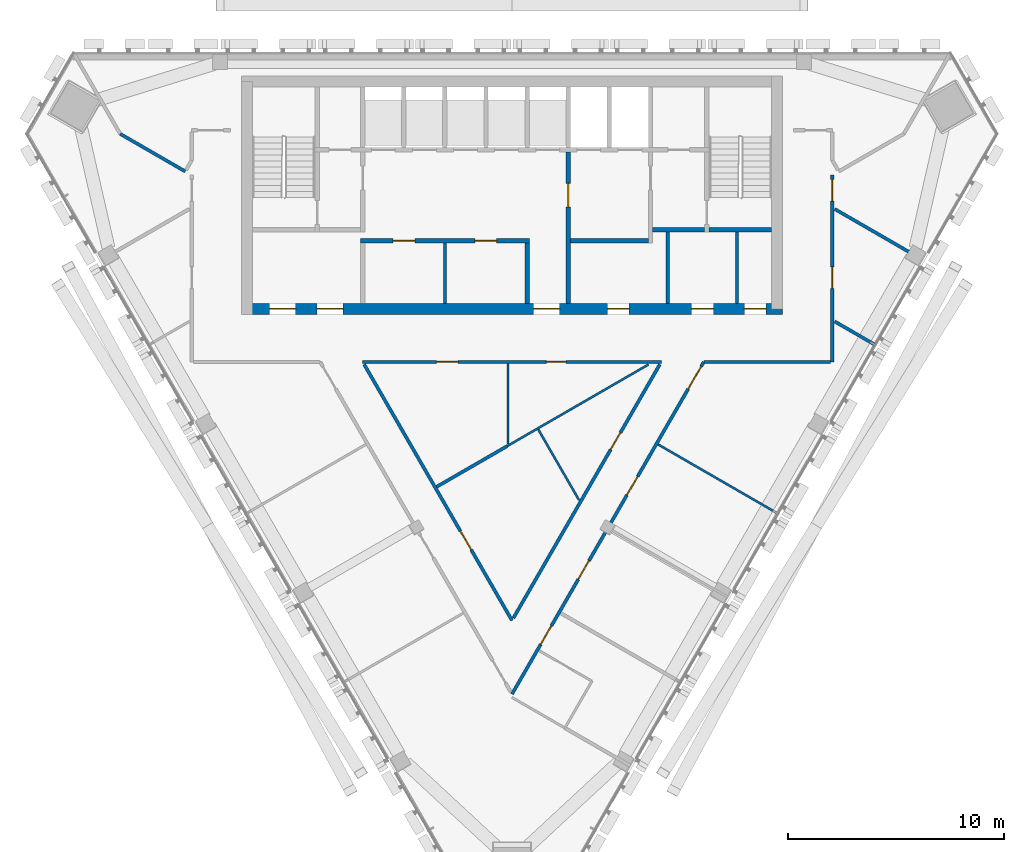
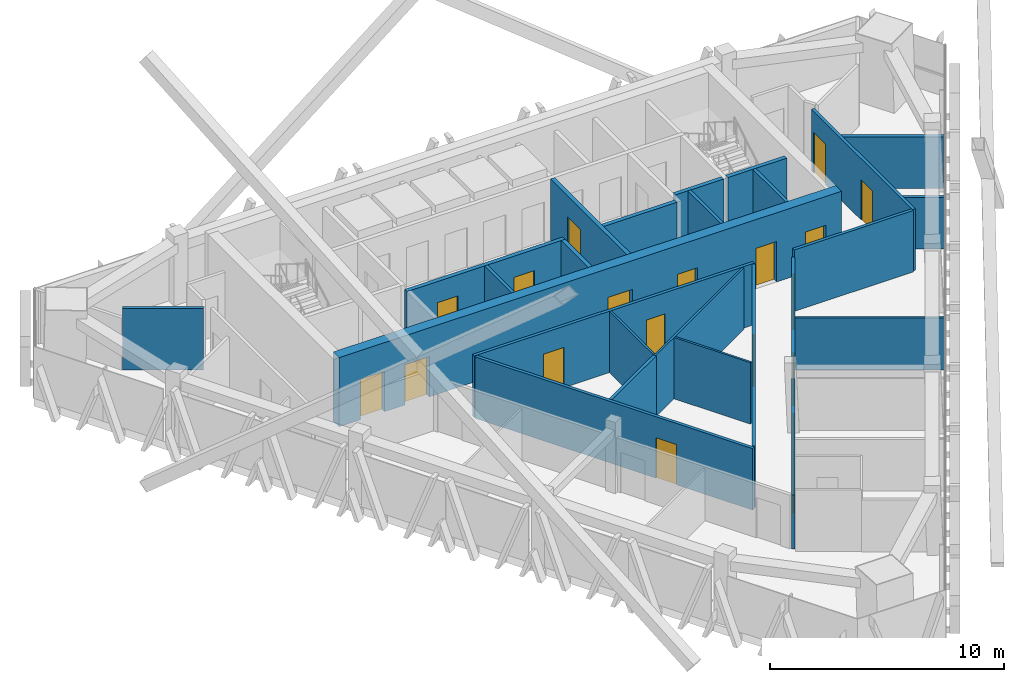
# One storey, part 8 of 12: 24 walls, 19 doors, 19 openings.
"""IFC4 building model written with IfcOpenShell, lengths in metres."""

from ifc_helpers import new_model, si_unit, direction, frame, frame_2d, origin, place, context, subcontext, project, spatial, rectangle, extrude, material, layer, layer_set, type_object, element, fill, save


model = new_model("IFC4")

# Units and contexts
model_context = context("Model", 3, precision=1e-05, world=origin(), true_north=direction((0.0, 1.0)))
body_context = subcontext(model_context, "Body", "Model", "MODEL_VIEW")
ifc_project = project(units=[si_unit("LENGTHUNIT", "METRE"), si_unit("AREAUNIT", "SQUARE_METRE"), si_unit("VOLUMEUNIT", "CUBIC_METRE"), si_unit("PLANEANGLEUNIT", "RADIAN"), si_unit("MASSUNIT", "GRAM", prefix="KILO")], contexts=[model_context])

# Site, building, storey
site_placement = place(None, origin())
site = spatial("IfcSite", under=ifc_project, at=site_placement, CompositionType="ELEMENT")
building_placement = place(site_placement, origin())
building = spatial("IfcBuilding", under=site, at=building_placement, Name="Altiplano Prism Tower", CompositionType="ELEMENT")
storey_placement = place(building_placement, frame((0.0, 0.0, 291.39990234375)))
storey = spatial("IfcBuildingStorey", under=building, at=storey_placement, Name="L75", CompositionType="ELEMENT", Elevation=291.39990234375)

# Wall, openings, doors
ifc_material_1 = material(Name="Concrete C60/75", Category="concrete")
ifc_layer_1 = layer(ifc_material_1, 0.5)
ifc_layer_set_1 = layer_set([ifc_layer_1], Name="Concrete C60/75")
wall_type_1 = type_object("IfcWallType", Name="Core wall 500", PredefinedType="SHEAR", material=ifc_layer_set_1)
wall_1_placement = place(storey_placement, frame((72.75, 93.14990234375, 0.0), z_axis=(0.0, 0.0, 1.0), x_axis=(1.0, 0.0, 0.0)))
wall_1 = element("IfcWall", 1, at=wall_1_placement, inside=storey, type_object=wall_type_1, Name="Core wall S L75", PredefinedType="SHEAR", context=body_context, shape_type="SweptSolid", body=[
    extrude(rectangle(XDim=24.75, YDim=0.5, at=frame_2d((12.375, 0.0))), origin(), (0.0, 0.0, 1.0), 3.60009765625),
])
opening_1_placement = place(wall_1_placement, frame((1.050048828125, 0.0, 0.0)))
opening_1 = element("IfcOpeningElement", 2, at=opening_1_placement, cuts=wall_1, Name="Opening D3638", PredefinedType="OPENING", context=body_context, shape_type="SweptSolid", body=[
    extrude(rectangle(XDim=1.199951171875, YDim=2.10009765625, at=frame_2d((0.60009765625, 1.050048828125))), frame((0.0, 0.260498046875, 0.0), z_axis=(0.0, -1.0, 0.0), x_axis=(1.0, 0.0, 0.0)), (0.0, 0.0, 1.0), 0.52099609375),
])
opening_2_placement = place(wall_1_placement, frame((3.25, 0.0, 0.0)))
opening_2 = element("IfcOpeningElement", 3, at=opening_2_placement, cuts=wall_1, Name="Opening D3639", PredefinedType="OPENING", context=body_context, shape_type="SweptSolid", body=[
    extrude(rectangle(XDim=1.199951171875, YDim=2.10009765625, at=frame_2d((0.60009765625, 1.050048828125))), frame((0.0, 0.260498046875, 0.0), z_axis=(0.0, -1.0, 0.0), x_axis=(1.0, 0.0, 0.0)), (0.0, 0.0, 1.0), 0.52099609375),
])
opening_3_placement = place(wall_1_placement, frame((13.25, 0.0, 0.0)))
opening_3 = element("IfcOpeningElement", 4, at=opening_3_placement, cuts=wall_1, Name="Opening D3640", PredefinedType="OPENING", context=body_context, shape_type="SweptSolid", body=[
    extrude(rectangle(XDim=1.199951171875, YDim=2.10009765625, at=frame_2d((0.60009765625, 1.050048828125))), frame((0.0, 0.260498046875, 0.0), z_axis=(0.0, -1.0, 0.0), x_axis=(1.0, 0.0, 0.0)), (0.0, 0.0, 1.0), 0.52099609375),
])
opening_4_placement = place(wall_1_placement, frame((16.66259765625, 0.0, 0.0)))
opening_4 = element("IfcOpeningElement", 5, at=opening_4_placement, cuts=wall_1, Name="Opening D3643", PredefinedType="OPENING", context=body_context, shape_type="SweptSolid", body=[
    extrude(rectangle(XDim=1.0, YDim=2.10009765625, at=frame_2d((0.5, 1.050048828125))), frame((0.0, 0.260498046875, 0.0), z_axis=(0.0, -1.0, 0.0), x_axis=(1.0, 0.0, 0.0)), (0.0, 0.0, 1.0), 0.52099609375),
])
opening_5_placement = place(wall_1_placement, frame((20.550048828125, 0.0, 0.0)))
opening_5 = element("IfcOpeningElement", 6, at=opening_5_placement, cuts=wall_1, Name="Opening D3644", PredefinedType="OPENING", context=body_context, shape_type="SweptSolid", body=[
    extrude(rectangle(XDim=1.0, YDim=2.10009765625, at=frame_2d((0.5, 1.050048828125))), frame((0.0, 0.260498046875, 0.0), z_axis=(0.0, -1.0, 0.0), x_axis=(1.0, 0.0, 0.0)), (0.0, 0.0, 1.0), 0.52099609375),
])
opening_6_placement = place(wall_1_placement, frame((22.987548828125, 0.0, 0.0)))
opening_6 = element("IfcOpeningElement", 7, at=opening_6_placement, cuts=wall_1, Name="Opening D3645", PredefinedType="OPENING", context=body_context, shape_type="SweptSolid", body=[
    extrude(rectangle(XDim=1.0, YDim=2.10009765625, at=frame_2d((0.5, 1.050048828125))), frame((0.0, 0.260498046875, 0.0), z_axis=(0.0, -1.0, 0.0), x_axis=(1.0, 0.0, 0.0)), (0.0, 0.0, 1.0), 0.52099609375),
])
ifc_material_2 = material(Name="Fire-rated steel door", Category="steel")
door_type_1 = type_object("IfcDoorType", Name="Core room door 1000 x 2100", OperationType="NOTDEFINED", PredefinedType="NOTDEFINED", material=ifc_material_2)
door_1_placement = place(opening_4_placement, origin())
door_1 = element("IfcDoor", 8, at=door_1_placement, inside=storey, type_object=door_type_1, Name="Core room door D3643", OperationType="SINGLE_SWING_RIGHT", OverallHeight=2.10009765625, OverallWidth=1.0, PredefinedType="NOTDEFINED", context=body_context, shape_type="SweptSolid", body=[
    extrude(rectangle(XDim=1.0, YDim=2.10009765625, at=frame_2d((0.5, 1.050048828125))), frame((0.0, 0.02490234375, 0.0), z_axis=(0.0, -1.0, 0.0), x_axis=(1.0, 0.0, 0.0)), (0.0, 0.0, 1.0), 0.050048828125),
])
fill(opening_4, door_1)
door_2_placement = place(opening_5_placement, origin())
door_2 = element("IfcDoor", 9, at=door_2_placement, inside=storey, type_object=door_type_1, Name="Core room door D3644", OperationType="SINGLE_SWING_LEFT", OverallHeight=2.10009765625, OverallWidth=1.0, PredefinedType="NOTDEFINED", context=body_context, shape_type="SweptSolid", body=[
    extrude(rectangle(XDim=1.0, YDim=2.10009765625, at=frame_2d((0.5, 1.050048828125))), frame((0.0, 0.02490234375, 0.0), z_axis=(0.0, -1.0, 0.0), x_axis=(1.0, 0.0, 0.0)), (0.0, 0.0, 1.0), 0.050048828125),
])
fill(opening_5, door_2)
door_3_placement = place(opening_6_placement, origin())
door_3 = element("IfcDoor", 10, at=door_3_placement, inside=storey, type_object=door_type_1, Name="Core room door D3645", OperationType="SINGLE_SWING_RIGHT", OverallHeight=2.10009765625, OverallWidth=1.0, PredefinedType="NOTDEFINED", context=body_context, shape_type="SweptSolid", body=[
    extrude(rectangle(XDim=1.0, YDim=2.10009765625, at=frame_2d((0.5, 1.050048828125))), frame((0.0, 0.02490234375, 0.0), z_axis=(0.0, -1.0, 0.0), x_axis=(1.0, 0.0, 0.0)), (0.0, 0.0, 1.0), 0.050048828125),
])
fill(opening_6, door_3)
door_type_2 = type_object("IfcDoorType", Name="Lobby fire door 1200 x 2100", OperationType="NOTDEFINED", PredefinedType="NOTDEFINED", material=ifc_material_2)
door_4_placement = place(opening_1_placement, origin())
door_4 = element("IfcDoor", 11, at=door_4_placement, inside=storey, type_object=door_type_2, Name="Lobby fire door D3638", OperationType="SINGLE_SWING_RIGHT", OverallHeight=2.10009765625, OverallWidth=1.199951171875, PredefinedType="NOTDEFINED", context=body_context, shape_type="SweptSolid", body=[
    extrude(rectangle(XDim=1.199951171875, YDim=2.10009765625, at=frame_2d((0.60009765625, 1.050048828125))), frame((0.0, 0.02490234375, 0.0), z_axis=(0.0, -1.0, 0.0), x_axis=(1.0, 0.0, 0.0)), (0.0, 0.0, 1.0), 0.050048828125),
])
fill(opening_1, door_4)
door_5_placement = place(opening_2_placement, origin())
door_5 = element("IfcDoor", 12, at=door_5_placement, inside=storey, type_object=door_type_2, Name="Lobby fire door D3639", OperationType="SINGLE_SWING_LEFT", OverallHeight=2.10009765625, OverallWidth=1.199951171875, PredefinedType="NOTDEFINED", context=body_context, shape_type="SweptSolid", body=[
    extrude(rectangle(XDim=1.199951171875, YDim=2.10009765625, at=frame_2d((0.60009765625, 1.050048828125))), frame((0.0, 0.02490234375, 0.0), z_axis=(0.0, -1.0, 0.0), x_axis=(1.0, 0.0, 0.0)), (0.0, 0.0, 1.0), 0.050048828125),
])
fill(opening_2, door_5)
door_6_placement = place(opening_3_placement, origin())
door_6 = element("IfcDoor", 13, at=door_6_placement, inside=storey, type_object=door_type_2, Name="Lobby fire door D3640", OperationType="SINGLE_SWING_RIGHT", OverallHeight=2.10009765625, OverallWidth=1.199951171875, PredefinedType="NOTDEFINED", context=body_context, shape_type="SweptSolid", body=[
    extrude(rectangle(XDim=1.199951171875, YDim=2.10009765625, at=frame_2d((0.60009765625, 1.050048828125))), frame((0.0, 0.02490234375, 0.0), z_axis=(0.0, -1.0, 0.0), x_axis=(1.0, 0.0, 0.0)), (0.0, 0.0, 1.0), 0.050048828125),
])
fill(opening_3, door_6)

# Walls
ifc_material_3 = material(Name="Plasterboard on steel stud", Category="steel")
ifc_layer_2 = layer(ifc_material_3, 0.10009765625)
ifc_layer_set_2 = layer_set([ifc_layer_2], Name="Plasterboard on steel stud")
wall_type_2 = type_object("IfcWallType", Name="Partition 100 wet", PredefinedType="PARTITIONING", material=ifc_layer_set_2)
wall_2_placement = place(storey_placement, frame((84.79052734375, 86.81787109375, 0.0), z_axis=(0.0, 0.0, 1.0), x_axis=(0.866016489654, 0.500015439409, 0.0)))
element("IfcWall", 14, at=wall_2_placement, inside=storey, type_object=wall_type_2, Name="Partition P03 L75 016", PredefinedType="PARTITIONING", context=body_context, shape_type="SweptSolid", body=[
    extrude(rectangle(XDim=7.525634765625, YDim=0.10009765625, at=frame_2d((3.7626953125, 0.0))), origin(), (0.0, 0.0, 1.0), 3.2001953125),
])
wall_3_placement = place(storey_placement, frame((84.807861328125, 90.6240234375, 0.0), z_axis=(0.0, 0.0, 1.0), x_axis=(0.0, -1.0, 0.0)))
element("IfcWall", 15, at=wall_3_placement, inside=storey, type_object=wall_type_2, Name="Partition P03 L75 017", PredefinedType="PARTITIONING", context=body_context, shape_type="SweptSolid", body=[
    extrude(rectangle(XDim=3.70947265625, YDim=0.10009765625, at=frame_2d((1.854736328125, 0.0))), origin(), (0.0, 0.0, 1.0), 3.2001953125),
])
wall_4_placement = place(storey_placement, frame((86.212646484375, 87.581298828125, 0.0), z_axis=(0.0, 0.0, 1.0), x_axis=(0.500019639741, -0.866014064478, 0.0)))
element("IfcWall", 16, at=wall_4_placement, inside=storey, type_object=wall_type_2, Name="Partition P03 L75 018", PredefinedType="PARTITIONING", context=body_context, shape_type="SweptSolid", body=[
    extrude(rectangle(XDim=3.768798828125, YDim=0.10009765625, at=frame_2d((1.88427734375, 0.0))), origin(), (0.0, 0.0, 1.0), 3.2001953125),
])
wall_5_placement = place(storey_placement, frame((97.24267578125, 83.71533203125, 0.0), z_axis=(0.0, 0.0, 1.0), x_axis=(-0.866025401434, 0.500000004071, 0.0)))
element("IfcWall", 17, at=wall_5_placement, inside=storey, type_object=wall_type_2, Name="Partition P03 L75 032", PredefinedType="PARTITIONING", context=body_context, shape_type="SweptSolid", body=[
    extrude(rectangle(XDim=6.34521484375, YDim=0.10009765625, at=frame_2d((3.172607421875, 0.0))), origin(), (0.0, 0.0, 1.0), 2.7001953125),
])

# Wall, openings, doors
ifc_layer_3 = layer(ifc_material_3, 0.14990234375)
ifc_layer_set_3 = layer_set([ifc_layer_3], Name="Plasterboard on steel stud")
wall_type_3 = type_object("IfcWallType", Name="Partition 150 corridor", PredefinedType="PARTITIONING", material=ifc_layer_set_3)
wall_6_placement = place(storey_placement, frame((78.10302734375, 90.698974609375, 0.0), z_axis=(0.0, 0.0, 1.0), x_axis=(1.0, 0.0, 0.0)))
wall_6 = element("IfcWall", 18, at=wall_6_placement, inside=storey, type_object=wall_type_3, Name="Partition P06 L75 001", PredefinedType="PARTITIONING", context=body_context, shape_type="SweptSolid", body=[
    extrude(rectangle(XDim=13.794189453125, YDim=0.14990234375, at=frame_2d((6.89697265625, 0.0))), origin(), (0.0, 0.0, 1.0), 3.2001953125),
])
opening_7_placement = place(wall_6_placement, frame((8.489990234375, 0.0, 0.0)))
opening_7 = element("IfcOpeningElement", 19, at=opening_7_placement, cuts=wall_6, Name="Opening D2306", PredefinedType="OPENING", context=body_context, shape_type="SweptSolid", body=[
    extrude(rectangle(XDim=0.89990234375, YDim=2.10009765625, at=frame_2d((0.449951171875, 1.050048828125))), frame((0.0, 0.08544921875, 0.0), z_axis=(0.0, -1.0, 0.0), x_axis=(1.0, 0.0, 0.0)), (0.0, 0.0, 1.0), 0.1708984375),
])
opening_8_placement = place(wall_6_placement, frame((3.410888671875, 0.0, 0.0)))
opening_8 = element("IfcOpeningElement", 20, at=opening_8_placement, cuts=wall_6, Name="Opening D2308", PredefinedType="OPENING", context=body_context, shape_type="SweptSolid", body=[
    extrude(rectangle(XDim=1.0, YDim=2.10009765625, at=frame_2d((0.5, 1.050048828125))), frame((0.0, 0.08544921875, 0.0), z_axis=(0.0, -1.0, 0.0), x_axis=(1.0, 0.0, 0.0)), (0.0, 0.0, 1.0), 0.1708984375),
])
ifc_material_4 = material(Name="Timber", Category="wood")
door_type_3 = type_object("IfcDoorType", Name="Store door 1000 x 2100", OperationType="NOTDEFINED", PredefinedType="NOTDEFINED", material=ifc_material_4)
door_7_placement = place(opening_8_placement, origin())
door_7 = element("IfcDoor", 21, at=door_7_placement, inside=storey, type_object=door_type_3, Name="Door D2308", OperationType="SINGLE_SWING_RIGHT", OverallHeight=2.10009765625, OverallWidth=1.0, PredefinedType="NOTDEFINED", context=body_context, shape_type="SweptSolid", body=[
    extrude(rectangle(XDim=1.0, YDim=2.10009765625, at=frame_2d((0.5, 1.050048828125))), frame((0.0, 0.02490234375, 0.0), z_axis=(0.0, -1.0, 0.0), x_axis=(1.0, 0.0, 0.0)), (0.0, 0.0, 1.0), 0.050048828125),
])
fill(opening_8, door_7)
door_type_4 = type_object("IfcDoorType", Name="Toilet door 900 x 2100", OperationType="NOTDEFINED", PredefinedType="NOTDEFINED", material=ifc_material_4)
door_8_placement = place(opening_7_placement, origin())
door_8 = element("IfcDoor", 22, at=door_8_placement, inside=storey, type_object=door_type_4, Name="Door D2306", OperationType="SINGLE_SWING_RIGHT", OverallHeight=2.10009765625, OverallWidth=0.89990234375, PredefinedType="NOTDEFINED", context=body_context, shape_type="SweptSolid", body=[
    extrude(rectangle(XDim=0.89990234375, YDim=2.10009765625, at=frame_2d((0.449951171875, 1.050048828125))), frame((0.0, 0.02490234375, 0.0), z_axis=(0.0, -1.0, 0.0), x_axis=(1.0, 0.0, 0.0)), (0.0, 0.0, 1.0), 0.050048828125),
])
fill(opening_7, door_8)

# Wall, opening, door
wall_7_placement = place(storey_placement, frame((91.83203125, 90.58642578125, 0.0), z_axis=(0.0, 0.0, 1.0), x_axis=(-0.499999877243, -0.866025474658, 0.0)))
wall_7 = element("IfcWall", 23, at=wall_7_placement, inside=storey, type_object=wall_type_3, Name="Partition P06 L75 002", PredefinedType="PARTITIONING", context=body_context, shape_type="SweptSolid", body=[
    extrude(rectangle(XDim=13.5341796875, YDim=0.14990234375, at=frame_2d((6.76708984375, 0.0))), origin(), (0.0, 0.0, 1.0), 3.2001953125),
])
opening_9_placement = place(wall_7_placement, frame((3.64599609375, 0.0, 0.0)))
opening_9 = element("IfcOpeningElement", 24, at=opening_9_placement, cuts=wall_7, Name="Opening D2307", PredefinedType="OPENING", context=body_context, shape_type="SweptSolid", body=[
    extrude(rectangle(XDim=0.89990234375, YDim=2.10009765625, at=frame_2d((0.449951171875, 1.050048828125))), frame((0.0, 0.08544921875, 0.0), z_axis=(0.0, -1.0, 0.0), x_axis=(1.0, 0.0, 0.0)), (0.0, 0.0, 1.0), 0.1708984375),
])
door_9_placement = place(opening_9_placement, origin())
door_9 = element("IfcDoor", 25, at=door_9_placement, inside=storey, type_object=door_type_4, Name="Door D2307", OperationType="SINGLE_SWING_LEFT", OverallHeight=2.10009765625, OverallWidth=0.89990234375, PredefinedType="NOTDEFINED", context=body_context, shape_type="SweptSolid", body=[
    extrude(rectangle(XDim=0.89990234375, YDim=2.10009765625, at=frame_2d((0.449951171875, 1.050048828125))), frame((0.0, 0.02490234375, 0.0), z_axis=(0.0, -1.0, 0.0), x_axis=(1.0, 0.0, 0.0)), (0.0, 0.0, 1.0), 0.050048828125),
])
fill(opening_9, door_9)

wall_8_placement = place(storey_placement, frame((85.0, 78.7529296875, 0.0), z_axis=(0.0, 0.0, 1.0), x_axis=(-0.499997754784, 0.866026700057, 0.0)))
wall_8 = element("IfcWall", 26, at=wall_8_placement, inside=storey, type_object=wall_type_3, Name="Partition P06 L75 003", PredefinedType="PARTITIONING", context=body_context, shape_type="SweptSolid", body=[
    extrude(rectangle(XDim=13.6640625, YDim=0.14990234375, at=frame_2d((6.83203125, 0.0))), origin(), (0.0, 0.0, 1.0), 3.2001953125),
])
opening_10_placement = place(wall_8_placement, frame((3.758056640625, 0.0, 0.0)))
opening_10 = element("IfcOpeningElement", 27, at=opening_10_placement, cuts=wall_8, Name="Opening D2309", PredefinedType="OPENING", context=body_context, shape_type="SweptSolid", body=[
    extrude(rectangle(XDim=1.0, YDim=2.10009765625, at=frame_2d((0.5, 1.050048828125))), frame((0.0, 0.08544921875, 0.0), z_axis=(0.0, -1.0, 0.0), x_axis=(1.0, 0.0, 0.0)), (0.0, 0.0, 1.0), 0.1708984375),
])
door_type_5 = type_object("IfcDoorType", Name="Room door 1000 x 2100", OperationType="NOTDEFINED", PredefinedType="NOTDEFINED", material=ifc_material_4)
door_10_placement = place(opening_10_placement, origin())
door_10 = element("IfcDoor", 28, at=door_10_placement, inside=storey, type_object=door_type_5, Name="Door D2309", OperationType="SINGLE_SWING_RIGHT", OverallHeight=2.10009765625, OverallWidth=1.0, PredefinedType="NOTDEFINED", context=body_context, shape_type="SweptSolid", body=[
    extrude(rectangle(XDim=1.0, YDim=2.10009765625, at=frame_2d((0.5, 1.050048828125))), frame((0.0, 0.02490234375, 0.0), z_axis=(0.0, -1.0, 0.0), x_axis=(1.0, 0.0, 0.0)), (0.0, 0.0, 1.0), 0.050048828125),
])
fill(opening_10, door_10)

# Wall, openings, doors
wall_9_placement = place(storey_placement, frame((85.0, 75.350830078125, 0.0), z_axis=(0.0, 0.0, 1.0), x_axis=(0.499999881977, 0.866025471925, 0.0)))
wall_9 = element("IfcWall", 29, at=wall_9_placement, inside=storey, type_object=wall_type_3, Name="Partition P06 L75 007", PredefinedType="PARTITIONING", context=body_context, shape_type="SweptSolid", body=[
    extrude(rectangle(XDim=17.7236328125, YDim=0.14990234375, at=frame_2d((8.86181640625, 0.0))), origin(), (0.0, 0.0, 1.0), 2.800048828125),
])
opening_11_placement = place(wall_9_placement, frame((2.64501953125, 0.0, 0.0)))
opening_11 = element("IfcOpeningElement", 30, at=opening_11_placement, cuts=wall_9, Name="Opening D2315", PredefinedType="OPENING", context=body_context, shape_type="SweptSolid", body=[
    extrude(rectangle(XDim=1.0, YDim=2.10009765625, at=frame_2d((0.5, 1.050048828125))), frame((0.0, 0.08544921875, 0.0), z_axis=(0.0, -1.0, 0.0), x_axis=(1.0, 0.0, 0.0)), (0.0, 0.0, 1.0), 0.1708984375),
])
opening_12_placement = place(wall_9_placement, frame((6.114990234375, 0.0, 0.0)))
opening_12 = element("IfcOpeningElement", 31, at=opening_12_placement, cuts=wall_9, Name="Opening D2317", PredefinedType="OPENING", context=body_context, shape_type="SweptSolid", body=[
    extrude(rectangle(XDim=1.0, YDim=2.10009765625, at=frame_2d((0.5, 1.050048828125))), frame((0.0, 0.08544921875, 0.0), z_axis=(0.0, -1.0, 0.0), x_axis=(1.0, 0.0, 0.0)), (0.0, 0.0, 1.0), 0.1708984375),
])
opening_13_placement = place(wall_9_placement, frame((10.614990234375, 0.0, 0.0)))
opening_13 = element("IfcOpeningElement", 32, at=opening_13_placement, cuts=wall_9, Name="Opening D2318", PredefinedType="OPENING", context=body_context, shape_type="SweptSolid", body=[
    extrude(rectangle(XDim=1.0, YDim=2.10009765625, at=frame_2d((0.5, 1.050048828125))), frame((0.0, 0.08544921875, 0.0), z_axis=(0.0, -1.0, 0.0), x_axis=(1.0, 0.0, 0.0)), (0.0, 0.0, 1.0), 0.1708984375),
])
opening_14_placement = place(wall_9_placement, frame((16.281982421875, 0.0, 0.0)))
opening_14 = element("IfcOpeningElement", 33, at=opening_14_placement, cuts=wall_9, Name="Opening D2319", PredefinedType="OPENING", context=body_context, shape_type="SweptSolid", body=[
    extrude(rectangle(XDim=1.199951171875, YDim=2.10009765625, at=frame_2d((0.60009765625, 1.050048828125))), frame((0.0, 0.08544921875, 0.0), z_axis=(0.0, -1.0, 0.0), x_axis=(1.0, 0.0, 0.0)), (0.0, 0.0, 1.0), 0.1708984375),
])
door_type_6 = type_object("IfcDoorType", Name="Bedroom entrance door 1000 x 2100", OperationType="NOTDEFINED", PredefinedType="NOTDEFINED", material=ifc_material_4)
door_11_placement = place(opening_11_placement, origin())
door_11 = element("IfcDoor", 34, at=door_11_placement, inside=storey, type_object=door_type_6, Name="Door D2315", OperationType="SINGLE_SWING_LEFT", OverallHeight=2.10009765625, OverallWidth=1.0, PredefinedType="NOTDEFINED", context=body_context, shape_type="SweptSolid", body=[
    extrude(rectangle(XDim=1.0, YDim=2.10009765625, at=frame_2d((0.5, 1.050048828125))), frame((0.0, 0.02490234375, 0.0), z_axis=(0.0, -1.0, 0.0), x_axis=(1.0, 0.0, 0.0)), (0.0, 0.0, 1.0), 0.050048828125),
])
fill(opening_11, door_11)
door_12_placement = place(opening_12_placement, origin())
door_12 = element("IfcDoor", 35, at=door_12_placement, inside=storey, type_object=door_type_5, Name="Door D2317", OperationType="SINGLE_SWING_RIGHT", OverallHeight=2.10009765625, OverallWidth=1.0, PredefinedType="NOTDEFINED", context=body_context, shape_type="SweptSolid", body=[
    extrude(rectangle(XDim=1.0, YDim=2.10009765625, at=frame_2d((0.5, 1.050048828125))), frame((0.0, 0.02490234375, 0.0), z_axis=(0.0, -1.0, 0.0), x_axis=(1.0, 0.0, 0.0)), (0.0, 0.0, 1.0), 0.050048828125),
])
fill(opening_12, door_12)
door_13_placement = place(opening_13_placement, origin())
door_13 = element("IfcDoor", 36, at=door_13_placement, inside=storey, type_object=door_type_5, Name="Door D2318", OperationType="SINGLE_SWING_RIGHT", OverallHeight=2.10009765625, OverallWidth=1.0, PredefinedType="NOTDEFINED", context=body_context, shape_type="SweptSolid", body=[
    extrude(rectangle(XDim=1.0, YDim=2.10009765625, at=frame_2d((0.5, 1.050048828125))), frame((0.0, 0.02490234375, 0.0), z_axis=(0.0, -1.0, 0.0), x_axis=(1.0, 0.0, 0.0)), (0.0, 0.0, 1.0), 0.050048828125),
])
fill(opening_13, door_13)
door_type_7 = type_object("IfcDoorType", Name="Shared room door 1200 x 2100", OperationType="NOTDEFINED", PredefinedType="NOTDEFINED", material=ifc_material_4)
door_14_placement = place(opening_14_placement, origin())
door_14 = element("IfcDoor", 37, at=door_14_placement, inside=storey, type_object=door_type_7, Name="Door D2319", OperationType="SINGLE_SWING_LEFT", OverallHeight=2.10009765625, OverallWidth=1.199951171875, PredefinedType="NOTDEFINED", context=body_context, shape_type="SweptSolid", body=[
    extrude(rectangle(XDim=1.199951171875, YDim=2.10009765625, at=frame_2d((0.60009765625, 1.050048828125))), frame((0.0, 0.02490234375, 0.0), z_axis=(0.0, -1.0, 0.0), x_axis=(1.0, 0.0, 0.0)), (0.0, 0.0, 1.0), 0.050048828125),
])
fill(opening_14, door_14)

# Wall
wall_10_placement = place(storey_placement, frame((93.86181640625, 90.699951171875, 0.0), z_axis=(0.0, 0.0, 1.0), x_axis=(1.0, 0.0, 0.0)))
element("IfcWall", 38, at=wall_10_placement, inside=storey, type_object=wall_type_3, Name="Partition P06 L75 008", PredefinedType="PARTITIONING", context=body_context, shape_type="SweptSolid", body=[
    extrude(rectangle(XDim=5.86328125, YDim=0.14990234375, at=frame_2d((2.931640625, 0.0))), origin(), (0.0, 0.0, 1.0), 3.2001953125),
])

# Wall, openings, doors
wall_11_placement = place(storey_placement, frame((99.800048828125, 90.699951171875, 0.0), z_axis=(0.0, 0.0, 1.0), x_axis=(0.0, 1.0, 0.0)))
wall_11 = element("IfcWall", 39, at=wall_11_placement, inside=storey, type_object=wall_type_3, Name="Partition P06 L75 009", PredefinedType="PARTITIONING", context=body_context, shape_type="SweptSolid", body=[
    extrude(rectangle(XDim=8.62841796875, YDim=0.14990234375, at=frame_2d((4.314208984375, 0.0))), origin(), (0.0, 0.0, 1.0), 3.2001953125),
])
opening_15_placement = place(wall_11_placement, frame((3.39599609375, 0.0, 0.0)))
opening_15 = element("IfcOpeningElement", 40, at=opening_15_placement, cuts=wall_11, Name="Opening D2320", PredefinedType="OPENING", context=body_context, shape_type="SweptSolid", body=[
    extrude(rectangle(XDim=1.0, YDim=2.10009765625, at=frame_2d((0.5, 1.050048828125))), frame((0.0, 0.08544921875, 0.0), z_axis=(0.0, -1.0, 0.0), x_axis=(1.0, 0.0, 0.0)), (0.0, 0.0, 1.0), 0.1708984375),
])
opening_16_placement = place(wall_11_placement, frame((7.427978515625, 0.0, 0.0)))
opening_16 = element("IfcOpeningElement", 41, at=opening_16_placement, cuts=wall_11, Name="Opening D2321", PredefinedType="OPENING", context=body_context, shape_type="SweptSolid", body=[
    extrude(rectangle(XDim=1.0, YDim=2.10009765625, at=frame_2d((0.5, 1.050048828125))), frame((0.0, 0.08544921875, 0.0), z_axis=(0.0, -1.0, 0.0), x_axis=(1.0, 0.0, 0.0)), (0.0, 0.0, 1.0), 0.1708984375),
])
door_15_placement = place(opening_15_placement, origin())
door_15 = element("IfcDoor", 42, at=door_15_placement, inside=storey, type_object=door_type_5, Name="Door D2320", OperationType="SINGLE_SWING_RIGHT", OverallHeight=2.10009765625, OverallWidth=1.0, PredefinedType="NOTDEFINED", context=body_context, shape_type="SweptSolid", body=[
    extrude(rectangle(XDim=1.0, YDim=2.10009765625, at=frame_2d((0.5, 1.050048828125))), frame((0.0, 0.02490234375, 0.0), z_axis=(0.0, -1.0, 0.0), x_axis=(1.0, 0.0, 0.0)), (0.0, 0.0, 1.0), 0.050048828125),
])
fill(opening_15, door_15)
door_16_placement = place(opening_16_placement, origin())
door_16 = element("IfcDoor", 43, at=door_16_placement, inside=storey, type_object=door_type_5, Name="Door D2321", OperationType="SINGLE_SWING_RIGHT", OverallHeight=2.10009765625, OverallWidth=1.0, PredefinedType="NOTDEFINED", context=body_context, shape_type="SweptSolid", body=[
    extrude(rectangle(XDim=1.0, YDim=2.10009765625, at=frame_2d((0.5, 1.050048828125))), frame((0.0, 0.02490234375, 0.0), z_axis=(0.0, -1.0, 0.0), x_axis=(1.0, 0.0, 0.0)), (0.0, 0.0, 1.0), 0.050048828125),
])
fill(opening_16, door_16)

# Walls
ifc_layer_4 = layer(ifc_material_3, 0.14990234375)
ifc_layer_set_4 = layer_set([ifc_layer_4], Name="Plasterboard on steel stud")
wall_type_4 = type_object("IfcWallType", Name="Partition 150 party", PredefinedType="PARTITIONING", material=ifc_layer_set_4)
wall_12_placement = place(storey_placement, frame((81.520263671875, 84.929931640625, 0.0), z_axis=(0.0, 0.0, 1.0), x_axis=(0.866042392862, 0.4999705729, 0.0)))
element("IfcWall", 44, at=wall_12_placement, inside=storey, type_object=wall_type_4, Name="Partition P01 L75 019", PredefinedType="PARTITIONING", context=body_context, shape_type="SweptSolid", body=[
    extrude(rectangle(XDim=3.776123046875, YDim=0.14990234375, at=frame_2d((1.88818359375, 0.0))), origin(), (0.0, 0.0, 1.0), 3.2001953125),
])
wall_13_placement = place(storey_placement, frame((69.90185546875, 99.50048828125, 0.0), z_axis=(0.0, 0.0, 1.0), x_axis=(-0.866026229868, 0.499998569178, 0.0)))
element("IfcWall", 45, at=wall_13_placement, inside=storey, type_object=wall_type_4, Name="Partition P01 L75 021", PredefinedType="PARTITIONING", context=body_context, shape_type="SweptSolid", body=[
    extrude(rectangle(XDim=3.4697265625, YDim=0.14990234375, at=frame_2d((1.73486328125, 0.0))), origin(), (0.0, 0.0, 1.0), 3.2001953125),
])
wall_14_placement = place(storey_placement, frame((101.74267578125, 91.509521484375, 0.0), z_axis=(0.0, 0.0, 1.0), x_axis=(-0.866016279763, 0.500015802937, 0.0)))
element("IfcWall", 46, at=wall_14_placement, inside=storey, type_object=wall_type_4, Name="Partition P01 L75 033", PredefinedType="PARTITIONING", context=body_context, shape_type="SweptSolid", body=[
    extrude(rectangle(XDim=2.11328125, YDim=0.14990234375, at=frame_2d((1.056640625, 0.0))), origin(), (0.0, 0.0, 1.0), 2.7001953125),
])
wall_15_placement = place(storey_placement, frame((103.97509765625, 95.416748046875, 0.0), z_axis=(0.0, 0.0, 1.0), x_axis=(-0.86600531219, 0.500034798048, 0.0)))
element("IfcWall", 47, at=wall_15_placement, inside=storey, type_object=wall_type_4, Name="Partition P01 L75 034", PredefinedType="PARTITIONING", context=body_context, shape_type="SweptSolid", body=[
    extrude(rectangle(XDim=4.691162109375, YDim=0.14990234375, at=frame_2d((2.345703125, 0.0))), origin(), (0.0, 0.0, 1.0), 2.7001953125),
])
ifc_material_5 = material(Name="Fire-rated gypsum board partition")
ifc_layer_5 = layer(ifc_material_5, 0.14990234375)
ifc_layer_set_5 = layer_set([ifc_layer_5], Name="Fire-rated gypsum board partition")
wall_type_5 = type_object("IfcWallType", Name="Room partition 150", PredefinedType="PARTITIONING", material=ifc_layer_set_5)
wall_16_placement = place(storey_placement, frame((81.89990234375, 93.39990234375, 0.0), z_axis=(0.0, 0.0, 1.0), x_axis=(0.0, 1.0, 0.0)))
element("IfcWall", 48, at=wall_16_placement, inside=storey, type_object=wall_type_5, Name="Room partition L75", PredefinedType="PARTITIONING", context=body_context, shape_type="SweptSolid", body=[
    extrude(rectangle(XDim=2.800048828125, YDim=0.14990234375, at=frame_2d((1.39990234375, 0.0))), origin(), (0.0, 0.0, 1.0), 3.2001953125),
])
for number, where, z_axis, x_axis, name in (
    (49, (92.199951171875, 93.39990234375, 0.0), (0.0, 0.0, 1.0), (0.0, 1.0, 0.0), "Room partition L75"),
    (50, (95.39990234375, 93.39990234375, 0.0), (0.0, 0.0, 1.0), (0.0, 1.0, 0.0), "Room partition L75"),
):
    element("IfcWall", number, at=place(storey_placement, frame(where, z_axis=z_axis, x_axis=x_axis)), inside=storey, type_object=wall_type_5, Name=name, PredefinedType="PARTITIONING", context=body_context, shape_type="SweptSolid", body=[
        extrude(rectangle(XDim=3.300048828125, YDim=0.14990234375, at=frame_2d((1.64990234375, 0.0))), origin(), (0.0, 0.0, 1.0), 3.2001953125),
    ])
ifc_layer_6 = layer(ifc_material_1, 0.199951171875)
ifc_layer_set_6 = layer_set([ifc_layer_6], Name="Concrete C60/75")
wall_type_6 = type_object("IfcWallType", Name="Stair wall 200", PredefinedType="SOLIDWALL", material=ifc_layer_set_6)
wall_17_placement = place(storey_placement, frame((94.10009765625, 96.800048828125, 0.0), z_axis=(0.0, 0.0, 1.0), x_axis=(1.0, 0.0, 0.0)))
element("IfcWall", 51, at=wall_17_placement, inside=storey, type_object=wall_type_6, Name="Stair wall L75", PredefinedType="SOLIDWALL", context=body_context, shape_type="SweptSolid", body=[
    extrude(rectangle(XDim=2.89990234375, YDim=0.199951171875, at=frame_2d((1.449951171875, 0.0))), origin(), (0.0, 0.0, 1.0), 3.2001953125),
])
ifc_layer_7 = layer(ifc_material_1, 0.199951171875)
ifc_layer_set_7 = layer_set([ifc_layer_7], Name="Concrete C60/75")
wall_type_7 = type_object("IfcWallType", Name="Vestibule wall 200", PredefinedType="PARTITIONING", material=ifc_layer_set_7)
wall_18_placement = place(storey_placement, frame((85.699951171875, 93.39990234375, 0.0), z_axis=(0.0, 0.0, 1.0), x_axis=(0.0, 1.0, 0.0)))
element("IfcWall", 52, at=wall_18_placement, inside=storey, type_object=wall_type_7, Name="Vestibule wall L75", PredefinedType="PARTITIONING", context=body_context, shape_type="SweptSolid", body=[
    extrude(rectangle(XDim=2.800048828125, YDim=0.199951171875, at=frame_2d((1.39990234375, 0.0))), origin(), (0.0, 0.0, 1.0), 3.2001953125),
])

# Wall, opening, door
wall_19_placement = place(storey_placement, frame((87.60009765625, 93.39990234375, 0.0), z_axis=(0.0, 0.0, 1.0), x_axis=(0.0, 1.0, 0.0)))
wall_19 = element("IfcWall", 53, at=wall_19_placement, inside=storey, type_object=wall_type_7, Name="Vestibule wall L75", PredefinedType="PARTITIONING", context=body_context, shape_type="SweptSolid", body=[
    extrude(rectangle(XDim=7.0, YDim=0.199951171875, at=frame_2d((3.5, 0.0))), origin(), (0.0, 0.0, 1.0), 3.2001953125),
])
opening_17_placement = place(wall_19_placement, frame((4.449951171875, 0.0, 0.0)))
opening_17 = element("IfcOpeningElement", 54, at=opening_17_placement, cuts=wall_19, Name="Opening D3636", PredefinedType="OPENING", context=body_context, shape_type="SweptSolid", body=[
    extrude(rectangle(XDim=1.10009765625, YDim=2.10009765625, at=frame_2d((0.550048828125, 1.050048828125))), frame((0.0, 0.1103515625, 0.0), z_axis=(0.0, -1.0, 0.0), x_axis=(1.0, 0.0, 0.0)), (0.0, 0.0, 1.0), 0.220947265625),
])
door_type_8 = type_object("IfcDoorType", Name="Vestibule fire door 1100 x 2100", OperationType="NOTDEFINED", PredefinedType="NOTDEFINED", material=ifc_material_2)
door_17_placement = place(opening_17_placement, origin())
door_17 = element("IfcDoor", 55, at=door_17_placement, inside=storey, type_object=door_type_8, Name="Vestibule fire door D3636", OperationType="SINGLE_SWING_RIGHT", OverallHeight=2.10009765625, OverallWidth=1.10009765625, PredefinedType="NOTDEFINED", context=body_context, shape_type="SweptSolid", body=[
    extrude(rectangle(XDim=1.10009765625, YDim=2.10009765625, at=frame_2d((0.550048828125, 1.050048828125))), frame((0.0, 0.02490234375, 0.0), z_axis=(0.0, -1.0, 0.0), x_axis=(1.0, 0.0, 0.0)), (0.0, 0.0, 1.0), 0.050048828125),
])
fill(opening_17, door_17)

# Wall, openings, doors
wall_20_placement = place(storey_placement, frame((78.0, 96.300048828125, 0.0), z_axis=(0.0, 0.0, 1.0), x_axis=(1.0, 0.0, 0.0)))
wall_20 = element("IfcWall", 56, at=wall_20_placement, inside=storey, type_object=wall_type_7, Name="Vestibule wall L75", PredefinedType="PARTITIONING", context=body_context, shape_type="SweptSolid", body=[
    extrude(rectangle(XDim=7.800048828125, YDim=0.199951171875, at=frame_2d((3.89990234375, 0.0))), origin(), (0.0, 0.0, 1.0), 3.2001953125),
])
opening_18_placement = place(wall_20_placement, frame((1.512451171875, 0.0, 0.0)))
opening_18 = element("IfcOpeningElement", 57, at=opening_18_placement, cuts=wall_20, Name="Opening D3646", PredefinedType="OPENING", context=body_context, shape_type="SweptSolid", body=[
    extrude(rectangle(XDim=1.0, YDim=2.10009765625, at=frame_2d((0.5, 1.050048828125))), frame((0.0, 0.1103515625, 0.0), z_axis=(0.0, -1.0, 0.0), x_axis=(1.0, 0.0, 0.0)), (0.0, 0.0, 1.0), 0.220947265625),
])
opening_19_placement = place(wall_20_placement, frame((5.28759765625, 0.0, 0.0)))
opening_19 = element("IfcOpeningElement", 58, at=opening_19_placement, cuts=wall_20, Name="Opening D3647", PredefinedType="OPENING", context=body_context, shape_type="SweptSolid", body=[
    extrude(rectangle(XDim=1.0, YDim=2.10009765625, at=frame_2d((0.5, 1.050048828125))), frame((0.0, 0.1103515625, 0.0), z_axis=(0.0, -1.0, 0.0), x_axis=(1.0, 0.0, 0.0)), (0.0, 0.0, 1.0), 0.220947265625),
])
door_18_placement = place(opening_18_placement, origin())
door_18 = element("IfcDoor", 59, at=door_18_placement, inside=storey, type_object=door_type_1, Name="Core room door D3646", OperationType="SINGLE_SWING_RIGHT", OverallHeight=2.10009765625, OverallWidth=1.0, PredefinedType="NOTDEFINED", context=body_context, shape_type="SweptSolid", body=[
    extrude(rectangle(XDim=1.0, YDim=2.10009765625, at=frame_2d((0.5, 1.050048828125))), frame((0.0, 0.02490234375, 0.0), z_axis=(0.0, -1.0, 0.0), x_axis=(1.0, 0.0, 0.0)), (0.0, 0.0, 1.0), 0.050048828125),
])
fill(opening_18, door_18)
door_19_placement = place(opening_19_placement, origin())
door_19 = element("IfcDoor", 60, at=door_19_placement, inside=storey, type_object=door_type_1, Name="Core room door D3647", OperationType="SINGLE_SWING_RIGHT", OverallHeight=2.10009765625, OverallWidth=1.0, PredefinedType="NOTDEFINED", context=body_context, shape_type="SweptSolid", body=[
    extrude(rectangle(XDim=1.0, YDim=2.10009765625, at=frame_2d((0.5, 1.050048828125))), frame((0.0, 0.02490234375, 0.0), z_axis=(0.0, -1.0, 0.0), x_axis=(1.0, 0.0, 0.0)), (0.0, 0.0, 1.0), 0.050048828125),
])
fill(opening_19, door_19)

# Walls
wall_21_placement = place(storey_placement, frame((87.699951171875, 96.300048828125, 0.0), z_axis=(0.0, 0.0, 1.0), x_axis=(1.0, 0.0, 0.0)))
element("IfcWall", 61, at=wall_21_placement, inside=storey, type_object=wall_type_7, Name="Vestibule wall L75", PredefinedType="PARTITIONING", context=body_context, shape_type="SweptSolid", body=[
    extrude(rectangle(XDim=3.60009765625, YDim=0.199951171875, at=frame_2d((1.800048828125, 0.0))), origin(), (0.0, 0.0, 1.0), 3.2001953125),
])
wall_22_placement = place(storey_placement, frame((91.5, 96.800048828125, 0.0), z_axis=(0.0, 0.0, 1.0), x_axis=(1.0, 0.0, 0.0)))
element("IfcWall", 62, at=wall_22_placement, inside=storey, type_object=wall_type_7, Name="Vestibule wall L75", PredefinedType="PARTITIONING", context=body_context, shape_type="SweptSolid", body=[
    extrude(rectangle(XDim=2.39990234375, YDim=0.199951171875, at=frame_2d((1.199951171875, 0.0))), origin(), (0.0, 0.0, 1.0), 3.2001953125),
])

save(model, "model.ifc")
